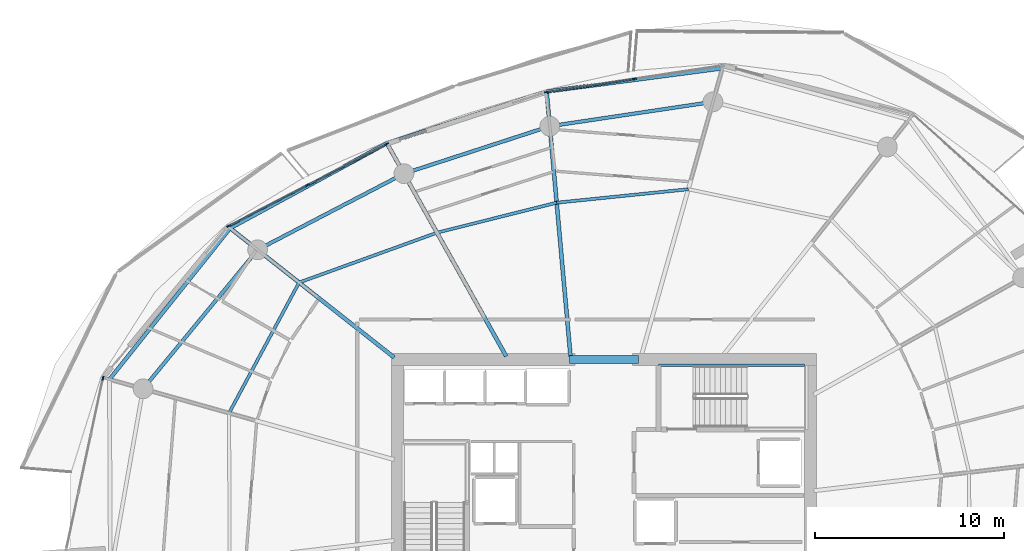
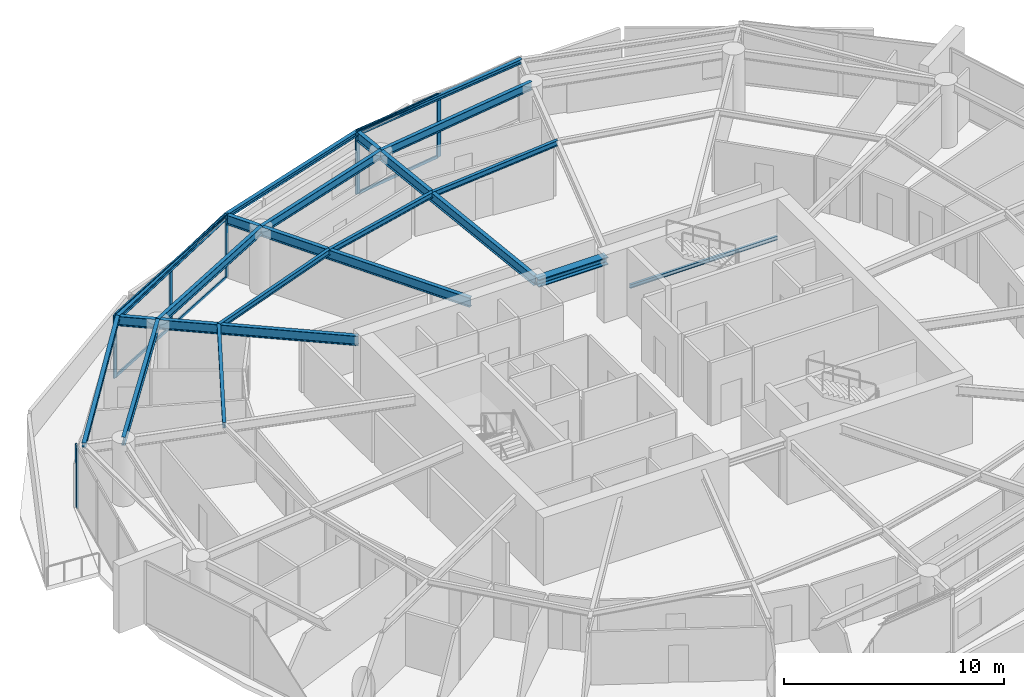
# One storey, part 8 of 21: 17 beams, 12 members, 3 elements without a shape of their own.
"""IFC4 building model written with IfcOpenShell, lengths in metres."""

from ifc_helpers import new_model, si_unit, direction, frame, origin, origin_2d, place, context, subcontext, project, spatial, rectangle, i_section, extrude, material, layer, layer_set, material_profile, profile_set, type_object, element, aggregate, save


model = new_model("IFC4")

# Units and contexts
model_context = context("Model", 3, precision=1e-05, world=origin(), true_north=direction((0.0, 1.0)))
body_context = subcontext(model_context, "Body", "Model", "MODEL_VIEW")
ifc_project = project(units=[si_unit("LENGTHUNIT", "METRE"), si_unit("AREAUNIT", "SQUARE_METRE"), si_unit("VOLUMEUNIT", "CUBIC_METRE"), si_unit("PLANEANGLEUNIT", "RADIAN"), si_unit("MASSUNIT", "GRAM", prefix="KILO")], contexts=[model_context])

# Site, building, storey
site_placement = place(None, origin())
site = spatial("IfcSite", under=ifc_project, at=site_placement, CompositionType="ELEMENT")
building_placement = place(site_placement, origin())
building = spatial("IfcBuilding", under=site, at=building_placement, Name="Kazma Halo Residences", CompositionType="ELEMENT")
storey_placement = place(building_placement, frame((0.0, 0.0, 195.300048828125)))
storey = spatial("IfcBuildingStorey", under=building, at=storey_placement, Name="L49", CompositionType="ELEMENT", Elevation=195.300048828125)

# Beams
ifc_material_1 = material(Name="Steel S355", Category="steel")
ifc_material_profile_1 = material_profile(ifc_material_1, i_section(OverallWidth=0.201904296875, OverallDepth=0.2470703125, WebThickness=0.00732421875, FlangeThickness=0.010986328125, FilletRadius=0.011962890625, at=origin_2d()), Name="W250x49.1")
ifc_profile_set_1 = profile_set([ifc_material_profile_1], Name="Steel S355")
beam_type_1 = type_object("IfcBeamType", Name="BM-BAL-CANT", PredefinedType="BEAM", material=ifc_profile_set_1)
beam_1_placement = place(storey_placement, frame((54.70458984375, 65.772216796875, 3.37646484375), z_axis=(-0.991401891123, -0.130852169558, 0.0), x_axis=(0.130852169558, -0.991401891123, 0.0)))
element("IfcBeam", 1, at=beam_1_placement, inside=storey, type_object=beam_type_1, Name="L49 wave-balcony tie beam 03", PredefinedType="BEAM", context=body_context, shape_type="SweptSolid", body=[
    extrude(i_section(OverallWidth=0.201904296875, OverallDepth=0.2470703125, WebThickness=0.00732421875, FlangeThickness=0.010986328125, FilletRadius=0.011962890625, at=origin_2d()), origin(), (0.0, 0.0, 1.0), 9.401611328125),
])
beam_2_placement = place(storey_placement, frame((45.3837890625, 64.5419921875, 3.37646484375), z_axis=(-0.951434599458, -0.307850942753, 0.0), x_axis=(0.307850942753, -0.951434599458, 0.0)))
element("IfcBeam", 2, at=beam_2_placement, inside=storey, type_object=beam_type_1, Name="L49 wave-balcony tie beam 04", PredefinedType="BEAM", context=body_context, shape_type="SweptSolid", body=[
    extrude(i_section(OverallWidth=0.201904296875, OverallDepth=0.2470703125, WebThickness=0.00732421875, FlangeThickness=0.010986328125, FilletRadius=0.011962890625, at=origin_2d()), origin(), (0.0, 0.0, 1.0), 8.905029296875),
])
beam_3_placement = place(storey_placement, frame((36.9111328125, 61.800537109375, 3.37646484375), z_axis=(-0.878890557257, -0.477023467309, 0.0), x_axis=(0.477023467309, -0.878890557257, 0.0)))
element("IfcBeam", 3, at=beam_3_placement, inside=storey, type_object=beam_type_1, Name="L49 wave-balcony tie beam 05", PredefinedType="BEAM", context=body_context, shape_type="SweptSolid", body=[
    extrude(i_section(OverallWidth=0.201904296875, OverallDepth=0.2470703125, WebThickness=0.00732421875, FlangeThickness=0.010986328125, FilletRadius=0.011962890625, at=origin_2d()), origin(), (0.0, 0.0, 1.0), 9.452880859375),
])
beam_4_placement = place(storey_placement, frame((28.60302734375, 57.291259765625, 3.37646484375), z_axis=(-0.624195724924, -0.781268005864, 0.0), x_axis=(0.781268005864, -0.624195724924, 0.0)))
element("IfcBeam", 4, at=beam_4_placement, inside=storey, type_object=beam_type_1, Name="L49 wave-balcony tie beam 06", PredefinedType="BEAM", context=body_context, shape_type="SweptSolid", body=[
    extrude(i_section(OverallWidth=0.201904296875, OverallDepth=0.2470703125, WebThickness=0.00732421875, FlangeThickness=0.010986328125, FilletRadius=0.011962890625, at=origin_2d()), origin(), (0.0, 0.0, 1.0), 10.258544921875),
])
ifc_material_profile_2 = material_profile(ifc_material_1, i_section(OverallWidth=0.408935546875, OverallDepth=0.425048828125, WebThickness=0.03271484375, FlangeThickness=0.052490234375, FilletRadius=0.02001953125, at=origin_2d()), Name="W360x421")
ifc_profile_set_2 = profile_set([ifc_material_profile_2], Name="Steel S355")
beam_type_2 = type_object("IfcBeamType", Name="BM-CORE-W360H", PredefinedType="BEAM", material=ifc_profile_set_2)
beam_5_placement = place(storey_placement, frame((46.60009765625, 50.324951171875, 3.287353515625), z_axis=(1.0, 0.0, 0.0), x_axis=(0.0, 1.0, 0.0)))
element("IfcBeam", 5, at=beam_5_placement, inside=storey, type_object=beam_type_2, Name="L49 core coupling beam N", PredefinedType="BEAM", context=body_context, shape_type="SweptSolid", body=[
    extrude(i_section(OverallWidth=0.408935546875, OverallDepth=0.425048828125, WebThickness=0.03271484375, FlangeThickness=0.052490234375, FilletRadius=0.02001953125, at=origin_2d()), origin(), (0.0, 0.0, 1.0), 3.64990234375),
])
ifc_material_profile_3 = material_profile(ifc_material_1, i_section(OverallWidth=0.208984375, OverallDepth=0.532958984375, WebThickness=0.01025390625, FlangeThickness=0.015625, FilletRadius=0.01611328125, at=origin_2d()), Name="W530x92")
ifc_profile_set_3 = profile_set([ifc_material_profile_3], Name="Steel S355")
beam_type_3 = type_object("IfcBeamType", Name="BM-RAD-W530", PredefinedType="BEAM", material=ifc_profile_set_3)
beam_6_placement = place(storey_placement, frame((46.64990234375, 50.5, 3.2333984375), z_axis=(-0.089801911205, 0.995959646142, 0.0), x_axis=(-0.995959646142, -0.089801911205, 0.0)))
element("IfcBeam", 6, at=beam_6_placement, inside=storey, type_object=beam_type_3, Name="L49 radial floor beam 04", PredefinedType="BEAM", context=body_context, shape_type="SweptSolid", body=[
    extrude(i_section(OverallWidth=0.208984375, OverallDepth=0.532958984375, WebThickness=0.01025390625, FlangeThickness=0.015625, FilletRadius=0.01611328125, at=origin_2d()), origin(), (0.0, 0.0, 1.0), 14.098876953125),
])
beam_7_placement = place(storey_placement, frame((43.23974609375, 50.5, 3.2333984375), z_axis=(-0.488621736368, 0.872495729931, 0.0), x_axis=(-0.872495729931, -0.488621736368, 0.0)))
element("IfcBeam", 7, at=beam_7_placement, inside=storey, type_object=beam_type_3, Name="L49 radial floor beam 05", PredefinedType="BEAM", context=body_context, shape_type="SweptSolid", body=[
    extrude(i_section(OverallWidth=0.208984375, OverallDepth=0.532958984375, WebThickness=0.01025390625, FlangeThickness=0.015625, FilletRadius=0.01611328125, at=origin_2d()), origin(), (0.0, 0.0, 1.0), 12.951904296875),
])
beam_8_placement = place(storey_placement, frame((37.300048828125, 50.435302734375, 3.2333984375), z_axis=(-0.785326671572, 0.619081593102, 0.0), x_axis=(-0.619081593102, -0.785326671572, 0.0)))
element("IfcBeam", 8, at=beam_8_placement, inside=storey, type_object=beam_type_3, Name="L49 radial floor beam 06", PredefinedType="BEAM", context=body_context, shape_type="SweptSolid", body=[
    extrude(i_section(OverallWidth=0.208984375, OverallDepth=0.532958984375, WebThickness=0.01025390625, FlangeThickness=0.015625, FilletRadius=0.01611328125, at=origin_2d()), origin(), (0.0, 0.0, 1.0), 11.074462890625),
])
ifc_material_profile_4 = material_profile(ifc_material_1, i_section(OverallWidth=0.1650390625, OverallDepth=0.31005859375, WebThickness=0.005859375, FlangeThickness=0.009765625, FilletRadius=0.011962890625, at=origin_2d()), Name="W310x38.7")
ifc_profile_set_4 = profile_set([ifc_material_profile_4], Name="Steel S355")
beam_type_4 = type_object("IfcBeamType", Name="BM-SEC-W310B", PredefinedType="JOIST", material=ifc_profile_set_4)
beam_9_placement = place(storey_placement, frame((52.8955078125, 59.35791015625, 3.344970703125), z_axis=(-0.994813898595, -0.101711883088, 0.0), x_axis=(0.101711883088, -0.994813898595, 0.0)))
element("IfcBeam", 9, at=beam_9_placement, inside=storey, type_object=beam_type_4, Name="L49 circumferential floor joist 03", PredefinedType="JOIST", context=body_context, shape_type="SweptSolid", body=[
    extrude(i_section(OverallWidth=0.1650390625, OverallDepth=0.31005859375, WebThickness=0.005859375, FlangeThickness=0.009765625, FilletRadius=0.011962890625, at=origin_2d()), origin(), (0.0, 0.0, 1.0), 7.01611328125),
])
beam_10_placement = place(storey_placement, frame((45.915771484375, 58.644287109375, 3.344970703125), z_axis=(-0.970019458253, -0.243027263102, 0.0), x_axis=(0.243027263102, -0.970019458253, 0.0)))
element("IfcBeam", 10, at=beam_10_placement, inside=storey, type_object=beam_type_4, Name="L49 circumferential floor joist 04", PredefinedType="JOIST", context=body_context, shape_type="SweptSolid", body=[
    extrude(i_section(OverallWidth=0.1650390625, OverallDepth=0.31005859375, WebThickness=0.005859375, FlangeThickness=0.009765625, FilletRadius=0.011962890625, at=origin_2d()), origin(), (0.0, 0.0, 1.0), 6.542724609375),
])
beam_11_placement = place(storey_placement, frame((39.569091796875, 57.05419921875, 3.344970703125), z_axis=(-0.940484507564, -0.339836565177, 0.0), x_axis=(0.339836565177, -0.940484507564, 0.0)))
element("IfcBeam", 11, at=beam_11_placement, inside=storey, type_object=beam_type_4, Name="L49 circumferential floor joist 05", PredefinedType="JOIST", context=body_context, shape_type="SweptSolid", body=[
    extrude(i_section(OverallWidth=0.1650390625, OverallDepth=0.31005859375, WebThickness=0.005859375, FlangeThickness=0.009765625, FilletRadius=0.011962890625, at=origin_2d()), origin(), (0.0, 0.0, 1.0), 7.776123046875),
])
beam_12_placement = place(storey_placement, frame((32.255859375, 54.41162109375, 3.344970703125), z_axis=(-0.472683532566, -0.881232249774, 0.0), x_axis=(0.881232249774, -0.472683532566, 0.0)))
element("IfcBeam", 12, at=beam_12_placement, inside=storey, type_object=beam_type_4, Name="L49 circumferential floor joist 06", PredefinedType="JOIST", context=body_context, shape_type="SweptSolid", body=[
    extrude(i_section(OverallWidth=0.1650390625, OverallDepth=0.31005859375, WebThickness=0.005859375, FlangeThickness=0.009765625, FilletRadius=0.011962890625, at=origin_2d()), origin(), (0.0, 0.0, 1.0), 7.85693359375),
])
ifc_material_profile_5 = material_profile(ifc_material_1, i_section(OverallWidth=0.18994140625, OverallDepth=0.45703125, WebThickness=0.009033203125, FlangeThickness=0.014404296875, FilletRadius=0.01611328125, at=origin_2d()), Name="W460x74")
ifc_profile_set_5 = profile_set([ifc_material_profile_5], Name="Steel S355")
beam_type_5 = type_object("IfcBeamType", Name="BM-SPN-W460", PredefinedType="BEAM", material=ifc_profile_set_5)
beam_13_placement = place(storey_placement, frame((54.202392578125, 63.99169921875, 3.271484375), z_axis=(-0.98903439143, -0.147685383732, 0.0), x_axis=(0.147685383732, -0.98903439143, 0.0)))
element("IfcBeam", 13, at=beam_13_placement, inside=storey, type_object=beam_type_5, Name="L49 perimeter ring beam 03", PredefinedType="BEAM", context=body_context, shape_type="SweptSolid", body=[
    extrude(i_section(OverallWidth=0.18994140625, OverallDepth=0.45703125, WebThickness=0.009033203125, FlangeThickness=0.014404296875, FilletRadius=0.01611328125, at=origin_2d()), origin(), (0.0, 0.0, 1.0), 8.748291015625),
])
beam_14_placement = place(storey_placement, frame((45.550048828125, 62.69970703125, 3.271484375), z_axis=(-0.951048627281, -0.30904127321, 0.0), x_axis=(0.30904127321, -0.951048627281, 0.0)))
element("IfcBeam", 14, at=beam_14_placement, inside=storey, type_object=beam_type_5, Name="L49 perimeter ring beam 04", PredefinedType="BEAM", context=body_context, shape_type="SweptSolid", body=[
    extrude(i_section(OverallWidth=0.18994140625, OverallDepth=0.45703125, WebThickness=0.009033203125, FlangeThickness=0.014404296875, FilletRadius=0.01611328125, at=origin_2d()), origin(), (0.0, 0.0, 1.0), 8.133056640625),
])
beam_15_placement = place(storey_placement, frame((37.815185546875, 60.186279296875, 3.271484375), z_axis=(-0.886961243394, -0.461843861838, 0.0), x_axis=(0.461843861838, -0.886961243394, 0.0)))
element("IfcBeam", 15, at=beam_15_placement, inside=storey, type_object=beam_type_5, Name="L49 perimeter ring beam 05", PredefinedType="BEAM", context=body_context, shape_type="SweptSolid", body=[
    extrude(i_section(OverallWidth=0.18994140625, OverallDepth=0.45703125, WebThickness=0.009033203125, FlangeThickness=0.014404296875, FilletRadius=0.01611328125, at=origin_2d()), origin(), (0.0, 0.0, 1.0), 8.748046875),
])
beam_16_placement = place(storey_placement, frame((30.055908203125, 56.14599609375, 3.271484375), z_axis=(-0.63601715545, -0.771674917289, 0.0), x_axis=(0.771674917289, -0.63601715545, 0.0)))
element("IfcBeam", 16, at=beam_16_placement, inside=storey, type_object=beam_type_5, Name="L49 perimeter ring beam 06", PredefinedType="BEAM", context=body_context, shape_type="SweptSolid", body=[
    extrude(i_section(OverallWidth=0.18994140625, OverallDepth=0.45703125, WebThickness=0.009033203125, FlangeThickness=0.014404296875, FilletRadius=0.01611328125, at=origin_2d()), origin(), (0.0, 0.0, 1.0), 9.552734375),
])
ifc_material_profile_6 = material_profile(ifc_material_1, i_section(OverallWidth=0.133056640625, OverallDepth=0.20703125, WebThickness=0.005859375, FlangeThickness=0.00830078125, FilletRadius=0.010009765625, at=origin_2d()), Name="W200x26.6")
ifc_profile_set_6 = profile_set([ifc_material_profile_6], Name="Steel S355")
beam_type_6 = type_object("IfcBeamType", Name="BM-TRIM-W200", PredefinedType="BEAM", material=ifc_profile_set_6)
beam_17_placement = place(storey_placement, frame((51.31005859375, 50.02001953125, 1.570068359375), z_axis=(1.0, 0.0, 0.0), x_axis=(0.0, 1.0, 0.0)))
element("IfcBeam", 17, at=beam_17_placement, inside=storey, type_object=beam_type_6, Name="L49 ST-02 landing north wall ledger", PredefinedType="BEAM", context=body_context, shape_type="SweptSolid", body=[
    extrude(i_section(OverallWidth=0.133056640625, OverallDepth=0.20703125, WebThickness=0.005859375, FlangeThickness=0.00830078125, FilletRadius=0.010009765625, at=origin_2d()), origin(), (0.0, 0.0, 1.0), 7.760009765625),
])

# Curtain wall, members
ifc_material_2 = material(Name="Aluminium AW-6063 T6 and Triple-Silver Low-E Glass", Category="aluminium")
ifc_layer = layer(ifc_material_2, 0.219970703125)
ifc_layer_set = layer_set([ifc_layer], Name="Aluminium AW-6063 T6 and Triple-Silver Low-E Glass")
curtain_wall_type = type_object("IfcCurtainWallType", Name="CW-SYS-4", PredefinedType="NOTDEFINED", material=ifc_layer_set)
curtain_wall_1_placement = place(storey_placement, origin())
curtain_wall_1 = element("IfcCurtainWall", 18, at=curtain_wall_1_placement, inside=storey, type_object=curtain_wall_type, Name="L49 unitised curtain wall B03", PredefinedType="NOTDEFINED")
ifc_material_3 = material(Name="Aluminium AW-6063 T6", Category="aluminium")
ifc_material_profile_7 = material_profile(ifc_material_3, rectangle(XDim=0.074951171875, YDim=0.219970703125, at=origin_2d()), Name="CWM-75x220")
ifc_profile_set_7 = profile_set([ifc_material_profile_7], Name="Aluminium AW-6063 T6")
member_type_1 = type_object("IfcMemberType", Name="CW-SYS-4-MUL", PredefinedType="MULLION", material=ifc_profile_set_7)
member_1_placement = place(storey_placement, frame((50.041259765625, 65.211181640625, 0.0), z_axis=(0.0, 0.0, 1.0), x_axis=(0.148772639188, -0.988871428361, 0.0)))
member_1 = element("IfcMember", 19, at=member_1_placement, type_object=member_type_1, Name="CWS-4 mullion 2", PredefinedType="MULLION", context=body_context, shape_type="SweptSolid", body=[
    extrude(rectangle(XDim=0.074951171875, YDim=0.219970703125, at=origin_2d()), origin(), (0.0, 0.0, 1.0), 3.5),
])
member_2_placement = place(storey_placement, frame((45.373779296875, 64.509033203125, 0.0), z_axis=(0.0, 0.0, 1.0), x_axis=(0.148772639188, -0.988871428361, 0.0)))
member_2 = element("IfcMember", 20, at=member_2_placement, type_object=member_type_1, Name="CWS-4 mullion 3", PredefinedType="MULLION", context=body_context, shape_type="SweptSolid", body=[
    extrude(rectangle(XDim=0.074951171875, YDim=0.219970703125, at=origin_2d()), origin(), (0.0, 0.0, 1.0), 3.5),
])

curtain_wall_2_placement = place(storey_placement, origin())
curtain_wall_2 = element("IfcCurtainWall", 21, at=curtain_wall_2_placement, inside=storey, type_object=curtain_wall_type, Name="L49 unitised curtain wall B05", PredefinedType="NOTDEFINED")
member_3_placement = place(storey_placement, frame((36.894287109375, 61.75390625, 0.0), z_axis=(0.0, 0.0, 1.0), x_axis=(0.460873851097, -0.887465657575, 0.0)))
member_3 = element("IfcMember", 22, at=member_3_placement, type_object=member_type_1, Name="CWS-4 mullion 1", PredefinedType="MULLION", context=body_context, shape_type="SweptSolid", body=[
    extrude(rectangle(XDim=0.074951171875, YDim=0.219970703125, at=origin_2d()), origin(), (0.0, 0.0, 1.0), 3.5),
])
member_4_placement = place(storey_placement, frame((32.705322265625, 59.578369140625, 0.0), z_axis=(0.0, 0.0, 1.0), x_axis=(0.460873851097, -0.887465657575, 0.0)))
member_4 = element("IfcMember", 23, at=member_4_placement, type_object=member_type_1, Name="CWS-4 mullion 2", PredefinedType="MULLION", context=body_context, shape_type="SweptSolid", body=[
    extrude(rectangle(XDim=0.074951171875, YDim=0.219970703125, at=origin_2d()), origin(), (0.0, 0.0, 1.0), 3.5),
])
member_5_placement = place(storey_placement, frame((28.5166015625, 57.403076171875, 0.0), z_axis=(0.0, 0.0, 1.0), x_axis=(0.460873851097, -0.887465657575, 0.0)))
member_5 = element("IfcMember", 24, at=member_5_placement, type_object=member_type_1, Name="CWS-4 mullion 3", PredefinedType="MULLION", context=body_context, shape_type="SweptSolid", body=[
    extrude(rectangle(XDim=0.074951171875, YDim=0.219970703125, at=origin_2d()), origin(), (0.0, 0.0, 1.0), 3.5),
])

# Curtain wall, member
curtain_wall_3_placement = place(storey_placement, origin())
curtain_wall_3 = element("IfcCurtainWall", 25, at=curtain_wall_3_placement, inside=storey, type_object=curtain_wall_type, Name="L49 unitised curtain wall B07", PredefinedType="NOTDEFINED")
member_6_placement = place(storey_placement, frame((21.8564453125, 49.334228515625, 0.0), z_axis=(0.0, 0.0, 1.0), x_axis=(0.977768017212, -0.209689543175, 0.0)))
member_6 = element("IfcMember", 26, at=member_6_placement, type_object=member_type_1, Name="CWS-4 mullion 1", PredefinedType="MULLION", context=body_context, shape_type="SweptSolid", body=[
    extrude(rectangle(XDim=0.074951171875, YDim=0.219970703125, at=origin_2d()), origin(), (0.0, 0.0, 1.0), 3.5),
])
aggregate(curtain_wall_3, [member_6])

# Member
ifc_material_profile_8 = material_profile(ifc_material_3, rectangle(XDim=0.074951171875, YDim=0.1650390625, at=origin_2d()), Name="CWT-75x165")
ifc_profile_set_8 = profile_set([ifc_material_profile_8], Name="Aluminium AW-6063 T6")
member_type_2 = type_object("IfcMemberType", Name="CW-SYS-4-TRN", PredefinedType="USERDEFINED", material=ifc_profile_set_8)
member_7_placement = place(storey_placement, frame((50.004150390625, 65.20556640625, 0.037353515625), z_axis=(-0.988876518566, -0.148738801357, 0.0), x_axis=(0.148738801357, -0.988876518566, 0.0)))
member_7 = element("IfcMember", 27, at=member_7_placement, type_object=member_type_2, Name="CWS-4 transom 2.1", ObjectType="TRANSOM", PredefinedType="USERDEFINED", context=body_context, shape_type="SweptSolid", body=[
    extrude(rectangle(XDim=0.074951171875, YDim=0.1650390625, at=origin_2d()), origin(), (0.0, 0.0, 1.0), 4.645263671875),
])

member_8_placement = place(storey_placement, frame((50.004150390625, 65.20556640625, 3.46240234375), z_axis=(-0.988876518566, -0.148738801357, 0.0), x_axis=(0.148738801357, -0.988876518566, 0.0)))
member_8 = element("IfcMember", 28, at=member_8_placement, type_object=member_type_2, Name="CWS-4 transom 2.2", ObjectType="TRANSOM", PredefinedType="USERDEFINED", context=body_context, shape_type="SweptSolid", body=[
    extrude(rectangle(XDim=0.074951171875, YDim=0.1650390625, at=origin_2d()), origin(), (0.0, 0.0, 1.0), 4.645263671875),
])

aggregate(curtain_wall_1, [member_1, member_2, member_7, member_8])

member_9_placement = place(storey_placement, frame((36.861083984375, 61.736572265625, 0.037353515625), z_axis=(-0.887457630519, -0.460889307789, 0.0), x_axis=(0.460889307789, -0.887457630519, 0.0)))
member_9 = element("IfcMember", 29, at=member_9_placement, type_object=member_type_2, Name="CWS-4 transom 1.1", ObjectType="TRANSOM", PredefinedType="USERDEFINED", context=body_context, shape_type="SweptSolid", body=[
    extrude(rectangle(XDim=0.074951171875, YDim=0.1650390625, at=origin_2d()), origin(), (0.0, 0.0, 1.0), 4.64501953125),
])

member_10_placement = place(storey_placement, frame((36.861083984375, 61.736572265625, 3.46240234375), z_axis=(-0.887457630519, -0.460889307789, 0.0), x_axis=(0.460889307789, -0.887457630519, 0.0)))
member_10 = element("IfcMember", 30, at=member_10_placement, type_object=member_type_2, Name="CWS-4 transom 1.2", ObjectType="TRANSOM", PredefinedType="USERDEFINED", context=body_context, shape_type="SweptSolid", body=[
    extrude(rectangle(XDim=0.074951171875, YDim=0.1650390625, at=origin_2d()), origin(), (0.0, 0.0, 1.0), 4.64501953125),
])

member_11_placement = place(storey_placement, frame((32.672119140625, 59.561279296875, 0.037353515625), z_axis=(-0.887457630519, -0.460889307789, 0.0), x_axis=(0.460889307789, -0.887457630519, 0.0)))
member_11 = element("IfcMember", 31, at=member_11_placement, type_object=member_type_2, Name="CWS-4 transom 2.1", ObjectType="TRANSOM", PredefinedType="USERDEFINED", context=body_context, shape_type="SweptSolid", body=[
    extrude(rectangle(XDim=0.074951171875, YDim=0.1650390625, at=origin_2d()), origin(), (0.0, 0.0, 1.0), 4.64501953125),
])

member_12_placement = place(storey_placement, frame((32.672119140625, 59.561279296875, 3.46240234375), z_axis=(-0.887457630519, -0.460889307789, 0.0), x_axis=(0.460889307789, -0.887457630519, 0.0)))
member_12 = element("IfcMember", 32, at=member_12_placement, type_object=member_type_2, Name="CWS-4 transom 2.2", ObjectType="TRANSOM", PredefinedType="USERDEFINED", context=body_context, shape_type="SweptSolid", body=[
    extrude(rectangle(XDim=0.074951171875, YDim=0.1650390625, at=origin_2d()), origin(), (0.0, 0.0, 1.0), 4.64501953125),
])

aggregate(curtain_wall_2, [member_3, member_4, member_5, member_9, member_10, member_11, member_12])

save(model, "model.ifc")
